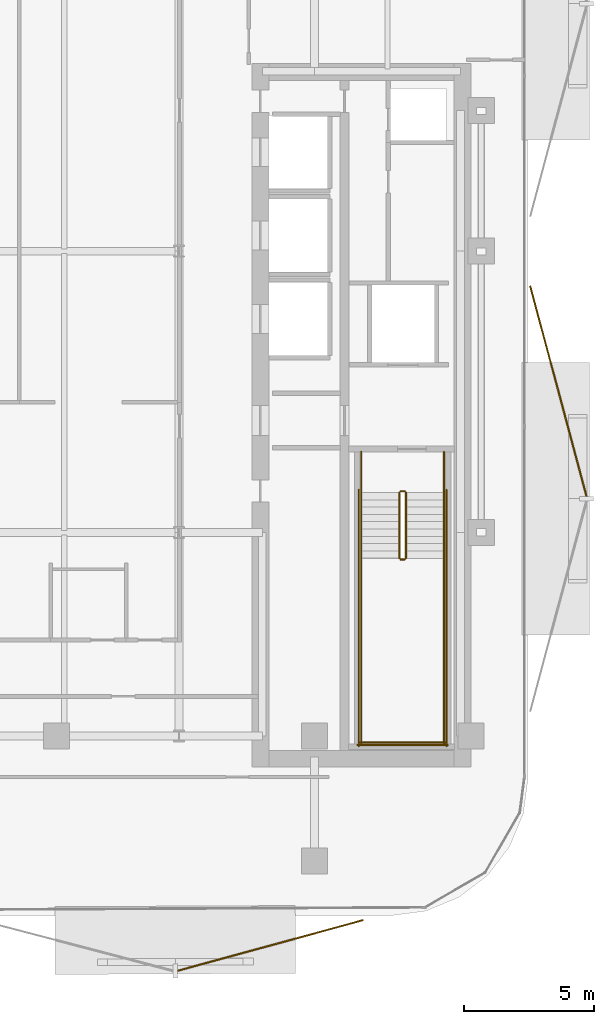
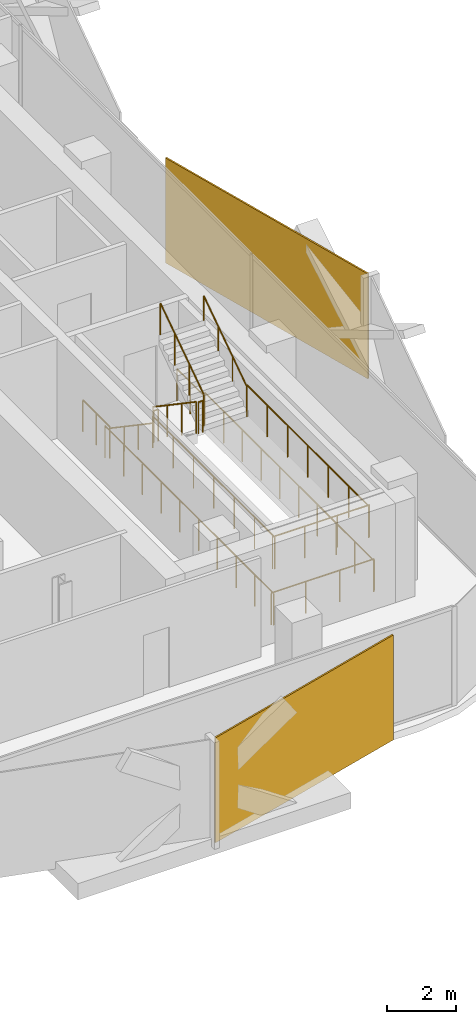
# One storey, part 14 of 16: 14 railings, 2 coverings.
"""IFC4 building model written with IfcOpenShell, lengths in metres."""

from ifc_helpers import new_model, si_unit, direction, frame, origin, origin_2d, place, context, subcontext, project, spatial, rectangle, circle, extrude, material, layer, layer_set, type_object, element, save


model = new_model("IFC4")

# Units and contexts
model_context = context("Model", 3, precision=1e-05, world=origin(), true_north=direction((0.0, 1.0)))
body_context = subcontext(model_context, "Body", "Model", "MODEL_VIEW")
ifc_project = project(units=[si_unit("LENGTHUNIT", "METRE"), si_unit("AREAUNIT", "SQUARE_METRE"), si_unit("VOLUMEUNIT", "CUBIC_METRE"), si_unit("PLANEANGLEUNIT", "RADIAN"), si_unit("MASSUNIT", "GRAM", prefix="KILO")], contexts=[model_context])

# Site, building, storey
site_placement = place(None, origin())
site = spatial("IfcSite", under=ifc_project, at=site_placement, CompositionType="ELEMENT")
building_placement = place(site_placement, origin())
building = spatial("IfcBuilding", under=site, at=building_placement, Name="Khairoan Windgate Tower", CompositionType="ELEMENT")
storey_placement = place(building_placement, frame((0.0, 0.0, 187.800048828125)))
storey = spatial("IfcBuildingStorey", under=building, at=storey_placement, Name="L43", CompositionType="ELEMENT", Elevation=187.800048828125)

# Coverings
ifc_material_1 = material(Name="Anodised Bronze Aluminium 6063-T6", Category="aluminium")
ifc_layer = layer(ifc_material_1, 0.054931640625, Name="Anodised Bronze Aluminium 6063-T6")
ifc_layer_set = layer_set([ifc_layer], Name="Anodised Bronze Aluminium 6063-T6")
covering_type = type_object("IfcCoveringType", Name="Perforated Bronze-Ceramic Folded Solar Screen Cladding BSC-1", PredefinedType="CLADDING", material=ifc_layer_set)
covering_1_placement = place(storey_placement, frame((12.712890625, -26.6376953125, -0.10009765625), z_axis=(0.0, 0.0, 1.0), x_axis=(-0.964649468762, -0.263536339841, 0.0)))
element("IfcCovering", 1, at=covering_1_placement, inside=storey, type_object=covering_type, Name="L43 Folded Bronze Solar Screen Facet 281L", PredefinedType="CLADDING", context=body_context, shape_type="SweptSolid", body=[
    extrude(rectangle(XDim=7.3759765625, YDim=0.054931640625, at=origin_2d()), origin(), (0.0, 0.0, 1.0), 3.739990234375),
])
covering_2_placement = place(storey_placement, frame((23.7587890625, -5.369873046875, -0.10009765625), z_axis=(0.0, 0.0, 1.0), x_axis=(0.258819045103, -0.965925826289, 0.0)))
element("IfcCovering", 2, at=covering_2_placement, inside=storey, type_object=covering_type, Name="L43 Folded Bronze Solar Screen Facet 288L", PredefinedType="CLADDING", context=body_context, shape_type="SweptSolid", body=[
    extrude(rectangle(XDim=8.35595703125, YDim=0.054931640625, at=origin_2d()), origin(), (0.0, 0.0, 1.0), 3.739990234375),
])

# Railings
ifc_material_2 = material(Name="Anodised Bronze Aluminium 6063-T6", Category="aluminium")
railing_type_1 = type_object("IfcRailingType", Name="Stair Wall Handrail SHR-900", PredefinedType="HANDRAIL", material=ifc_material_2)
railing_1_placement = place(storey_placement, frame((16.199951171875, -9.260009765625, 0.18994140625)))
element("IfcRailing", 3, at=railing_1_placement, inside=storey, type_object=railing_type_1, Name="L43 ST1 stair handrail 1", PredefinedType="HANDRAIL", context=body_context, shape_type="SweptSolid", body=[
    extrude(circle(Radius=0.02392578125, at=origin_2d()), frame((0.0, 0.0, 0.8759765625), z_axis=(0.0, -0.827483756001, 0.561489655786), x_axis=(1.0, 0.0, 0.0)), (0.0, 0.0, 1.0), 3.04541015625),
    extrude(circle(Radius=0.02099609375, at=origin_2d()), origin(), (0.0, 0.0, 1.0), 0.851806640625),
    extrude(circle(Radius=0.02099609375, at=origin_2d()), frame((0.0, -0.840087890625, 0.570068359375)), (0.0, 0.0, 1.0), 0.851806640625),
    extrude(circle(Radius=0.02099609375, at=origin_2d()), frame((0.0, -1.679931640625, 1.139892578125)), (0.0, 0.0, 1.0), 0.851806640625),
    extrude(circle(Radius=0.02099609375, at=origin_2d()), frame((0.0, -2.52001953125, 1.7099609375)), (0.0, 0.0, 1.0), 0.851806640625),
])
railing_2_placement = place(storey_placement, frame((19.3701171875, -11.780029296875, 2.08984375)))
element("IfcRailing", 4, at=railing_2_placement, inside=storey, type_object=railing_type_1, Name="L43 ST1 stair handrail 2", PredefinedType="HANDRAIL", context=body_context, shape_type="SweptSolid", body=[
    extrude(circle(Radius=0.02392578125, at=origin_2d()), frame((0.0, 0.0, 0.8759765625), z_axis=(0.0, 0.82744650838, 0.561544544778), x_axis=(-1.0, 0.0, 0.0)), (0.0, 0.0, 1.0), 3.045654296875),
    extrude(circle(Radius=0.02099609375, at=origin_2d()), origin(), (0.0, 0.0, 1.0), 0.851806640625),
    extrude(circle(Radius=0.02099609375, at=origin_2d()), frame((0.0, 0.840087890625, 0.570068359375)), (0.0, 0.0, 1.0), 0.851806640625),
    extrude(circle(Radius=0.02099609375, at=origin_2d()), frame((0.0, 1.679931640625, 1.14013671875)), (0.0, 0.0, 1.0), 0.851806640625),
    extrude(circle(Radius=0.02099609375, at=origin_2d()), frame((0.0, 2.52001953125, 1.710205078125)), (0.0, 0.0, 1.0), 0.851806640625),
])
ifc_material_3 = material(Name="Steel S355", Category="steel")
railing_type_2 = type_object("IfcRailingType", Name="Stairwell Safety Guardrail SGR-1150", PredefinedType="GUARDRAIL", material=ifc_material_3)
railing_3_placement = place(storey_placement, frame((17.659912109375, -9.260009765625, 0.18994140625)))
element("IfcRailing", 5, at=railing_3_placement, inside=storey, type_object=railing_type_2, Name="L43 ST1 stair guard 1", PredefinedType="GUARDRAIL", context=body_context, shape_type="SweptSolid", body=[
    extrude(circle(Radius=0.02392578125, at=origin_2d()), frame((0.0, 0.0, 1.1259765625), z_axis=(0.0, -0.827483756001, 0.561489655786), x_axis=(1.0, 0.0, 0.0)), (0.0, 0.0, 1.0), 3.04541015625),
    extrude(circle(Radius=0.02099609375, at=origin_2d()), origin(), (0.0, 0.0, 1.0), 1.101806640625),
    extrude(circle(Radius=0.02099609375, at=origin_2d()), frame((0.0, -0.840087890625, 0.570068359375)), (0.0, 0.0, 1.0), 1.101806640625),
    extrude(circle(Radius=0.02099609375, at=origin_2d()), frame((0.0, -1.679931640625, 1.139892578125)), (0.0, 0.0, 1.0), 1.101806640625),
    extrude(circle(Radius=0.02099609375, at=origin_2d()), frame((0.0, -2.52001953125, 1.7099609375)), (0.0, 0.0, 1.0), 1.101806640625),
])
railing_4_placement = place(storey_placement, frame((17.7099609375, -11.830078125, 1.89990234375)))
element("IfcRailing", 6, at=railing_4_placement, inside=storey, type_object=railing_type_2, Name="L43 ST1 stair guard 2", PredefinedType="GUARDRAIL", context=body_context, shape_type="SweptSolid", body=[
    extrude(circle(Radius=0.02392578125, at=origin_2d()), frame((0.0, 0.0, 1.1259765625), z_axis=(1.0, 0.0, 0.0), x_axis=(0.0, 1.0, 0.0)), (0.0, 0.0, 1.0), 0.150146484375),
    extrude(circle(Radius=0.02099609375, at=origin_2d()), origin(), (0.0, 0.0, 1.0), 1.101806640625),
    extrude(circle(Radius=0.02099609375, at=origin_2d()), frame((0.150146484375, 0.0, 0.0)), (0.0, 0.0, 1.0), 1.101806640625),
])
for number, where, name in (
    (7, (16.199951171875, -11.780029296875, 1.89990234375), "L43 ST1 stair guard 3"),
    (8, (19.3701171875, -11.780029296875, 1.89990234375), "L43 ST1 stair guard 4"),
):
    element("IfcRailing", number, at=place(storey_placement, frame(where)), inside=storey, type_object=railing_type_2, Name=name, PredefinedType="GUARDRAIL", context=body_context, shape_type="SweptSolid", body=[
        extrude(circle(Radius=0.02392578125, at=origin_2d()), frame((0.0, 0.0, 1.1259765625), z_axis=(0.0, -1.0, 0.0), x_axis=(1.0, 0.0, 0.0)), (0.0, 0.0, 1.0), 7.119873046875),
        extrude(circle(Radius=0.02099609375, at=origin_2d()), origin(), (0.0, 0.0, 1.0), 1.101806640625),
        extrude(circle(Radius=0.02099609375, at=origin_2d()), frame((0.0, -1.1865234375, 0.0)), (0.0, 0.0, 1.0), 1.101806640625),
        extrude(circle(Radius=0.02099609375, at=origin_2d()), frame((0.0, -2.373291015625, 0.0)), (0.0, 0.0, 1.0), 1.101806640625),
        extrude(circle(Radius=0.02099609375, at=origin_2d()), frame((0.0, -3.56005859375, 0.0)), (0.0, 0.0, 1.0), 1.101806640625),
        extrude(circle(Radius=0.02099609375, at=origin_2d()), frame((0.0, -4.74658203125, 0.0)), (0.0, 0.0, 1.0), 1.101806640625),
        extrude(circle(Radius=0.02099609375, at=origin_2d()), frame((0.0, -5.93310546875, 0.0)), (0.0, 0.0, 1.0), 1.101806640625),
        extrude(circle(Radius=0.02099609375, at=origin_2d()), frame((0.0, -7.119873046875, 0.0)), (0.0, 0.0, 1.0), 1.101806640625),
    ])
railing_5_placement = place(storey_placement, frame((16.14990234375, -18.85009765625, 1.89990234375)))
element("IfcRailing", 9, at=railing_5_placement, inside=storey, type_object=railing_type_2, Name="L43 ST1 stair guard 5", PredefinedType="GUARDRAIL", context=body_context, shape_type="SweptSolid", body=[
    extrude(circle(Radius=0.02392578125, at=origin_2d()), frame((0.0, 0.0, 1.1259765625), z_axis=(1.0, 0.0, 0.0), x_axis=(0.0, 1.0, 0.0)), (0.0, 0.0, 1.0), 3.27001953125),
    extrude(circle(Radius=0.02099609375, at=origin_2d()), origin(), (0.0, 0.0, 1.0), 1.101806640625),
    extrude(circle(Radius=0.02099609375, at=origin_2d()), frame((1.090087890625, 0.0, 0.0)), (0.0, 0.0, 1.0), 1.101806640625),
    extrude(circle(Radius=0.02099609375, at=origin_2d()), frame((2.179931640625, 0.0, 0.0)), (0.0, 0.0, 1.0), 1.101806640625),
    extrude(circle(Radius=0.02099609375, at=origin_2d()), frame((3.27001953125, 0.0, 0.0)), (0.0, 0.0, 1.0), 1.101806640625),
])
railing_6_placement = place(storey_placement, frame((17.909912109375, -11.780029296875, 2.08984375)))
element("IfcRailing", 10, at=railing_6_placement, inside=storey, type_object=railing_type_2, Name="L43 ST1 stair guard 6", PredefinedType="GUARDRAIL", context=body_context, shape_type="SweptSolid", body=[
    extrude(circle(Radius=0.02392578125, at=origin_2d()), frame((0.0, 0.0, 1.1259765625), z_axis=(0.0, 0.82744650838, 0.561544544778), x_axis=(-1.0, 0.0, 0.0)), (0.0, 0.0, 1.0), 3.045654296875),
    extrude(circle(Radius=0.02099609375, at=origin_2d()), origin(), (0.0, 0.0, 1.0), 1.101806640625),
    extrude(circle(Radius=0.02099609375, at=origin_2d()), frame((0.0, 0.840087890625, 0.570068359375)), (0.0, 0.0, 1.0), 1.101806640625),
    extrude(circle(Radius=0.02099609375, at=origin_2d()), frame((0.0, 1.679931640625, 1.14013671875)), (0.0, 0.0, 1.0), 1.101806640625),
    extrude(circle(Radius=0.02099609375, at=origin_2d()), frame((0.0, 2.52001953125, 1.710205078125)), (0.0, 0.0, 1.0), 1.101806640625),
])
railing_7_placement = place(storey_placement, frame((17.7099609375, -9.2099609375, 0.0)))
element("IfcRailing", 11, at=railing_7_placement, inside=storey, type_object=railing_type_2, Name="L43 ST1 stair guard 7", PredefinedType="GUARDRAIL", context=body_context, shape_type="SweptSolid", body=[
    extrude(circle(Radius=0.02392578125, at=origin_2d()), frame((0.0, 0.0, 1.1259765625), z_axis=(1.0, 0.0, 0.0), x_axis=(0.0, 1.0, 0.0)), (0.0, 0.0, 1.0), 0.150146484375),
    extrude(circle(Radius=0.02099609375, at=origin_2d()), origin(), (0.0, 0.0, 1.0), 1.101806640625),
    extrude(circle(Radius=0.02099609375, at=origin_2d()), frame((0.150146484375, 0.0, 0.0)), (0.0, 0.0, 1.0), 1.101806640625),
])
for number, where, name in (
    (12, (16.199951171875, -7.699951171875, 0.0), "L43 ST1 stair guard 8"),
    (13, (19.3701171875, -7.699951171875, 0.0), "L43 ST1 stair guard 9"),
):
    element("IfcRailing", number, at=place(storey_placement, frame(where)), inside=storey, type_object=railing_type_2, Name=name, PredefinedType="GUARDRAIL", context=body_context, shape_type="SweptSolid", body=[
        extrude(circle(Radius=0.02392578125, at=origin_2d()), frame((0.0, 0.0, 1.1259765625), z_axis=(0.0, -1.0, 0.0), x_axis=(1.0, 0.0, 0.0)), (0.0, 0.0, 1.0), 1.56005859375),
        extrude(circle(Radius=0.02099609375, at=origin_2d()), origin(), (0.0, 0.0, 1.0), 1.101806640625),
        extrude(circle(Radius=0.02099609375, at=origin_2d()), frame((0.0, -0.780029296875, 0.0)), (0.0, 0.0, 1.0), 1.101806640625),
        extrude(circle(Radius=0.02099609375, at=origin_2d()), frame((0.0, -1.56005859375, 0.0)), (0.0, 0.0, 1.0), 1.101806640625),
    ])
for number, where, name in (
    (14, (16.10009765625, -9.159912109375, 0.0), "L43 ST1 stair guard 10"),
    (15, (19.469970703125, -9.159912109375, 0.0), "L43 ST1 stair guard 11"),
):
    element("IfcRailing", number, at=place(storey_placement, frame(where)), inside=storey, type_object=railing_type_2, Name=name, PredefinedType="GUARDRAIL", context=body_context, shape_type="SweptSolid", body=[
        extrude(circle(Radius=0.02392578125, at=origin_2d()), frame((0.0, 0.0, 1.1259765625), z_axis=(0.0, -1.0, 0.0), x_axis=(1.0, 0.0, 0.0)), (0.0, 0.0, 1.0), 9.840087890625),
        extrude(circle(Radius=0.02099609375, at=origin_2d()), origin(), (0.0, 0.0, 1.0), 1.101806640625),
        extrude(circle(Radius=0.02099609375, at=origin_2d()), frame((0.0, -1.09326171875, 0.0)), (0.0, 0.0, 1.0), 1.101806640625),
        extrude(circle(Radius=0.02099609375, at=origin_2d()), frame((0.0, -2.186767578125, 0.0)), (0.0, 0.0, 1.0), 1.101806640625),
        extrude(circle(Radius=0.02099609375, at=origin_2d()), frame((0.0, -3.280029296875, 0.0)), (0.0, 0.0, 1.0), 1.101806640625),
        extrude(circle(Radius=0.02099609375, at=origin_2d()), frame((0.0, -4.373291015625, 0.0)), (0.0, 0.0, 1.0), 1.101806640625),
        extrude(circle(Radius=0.02099609375, at=origin_2d()), frame((0.0, -5.466796875, 0.0)), (0.0, 0.0, 1.0), 1.101806640625),
        extrude(circle(Radius=0.02099609375, at=origin_2d()), frame((0.0, -6.56005859375, 0.0)), (0.0, 0.0, 1.0), 1.101806640625),
        extrude(circle(Radius=0.02099609375, at=origin_2d()), frame((0.0, -7.6533203125, 0.0)), (0.0, 0.0, 1.0), 1.101806640625),
        extrude(circle(Radius=0.02099609375, at=origin_2d()), frame((0.0, -8.746826171875, 0.0)), (0.0, 0.0, 1.0), 1.101806640625),
        extrude(circle(Radius=0.02099609375, at=origin_2d()), frame((0.0, -9.840087890625, 0.0)), (0.0, 0.0, 1.0), 1.101806640625),
    ])
railing_8_placement = place(storey_placement, frame((16.050048828125, -18.949951171875, 0.0)))
element("IfcRailing", 16, at=railing_8_placement, inside=storey, type_object=railing_type_2, Name="L43 ST1 stair guard 12", PredefinedType="GUARDRAIL", context=body_context, shape_type="SweptSolid", body=[
    extrude(circle(Radius=0.02392578125, at=origin_2d()), frame((0.0, 0.0, 1.1259765625), z_axis=(1.0, 0.0, 0.0), x_axis=(0.0, 1.0, 0.0)), (0.0, 0.0, 1.0), 3.469970703125),
    extrude(circle(Radius=0.02099609375, at=origin_2d()), origin(), (0.0, 0.0, 1.0), 1.101806640625),
    extrude(circle(Radius=0.02099609375, at=origin_2d()), frame((1.15673828125, 0.0, 0.0)), (0.0, 0.0, 1.0), 1.101806640625),
    extrude(circle(Radius=0.02099609375, at=origin_2d()), frame((2.313232421875, 0.0, 0.0)), (0.0, 0.0, 1.0), 1.101806640625),
    extrude(circle(Radius=0.02099609375, at=origin_2d()), frame((3.469970703125, 0.0, 0.0)), (0.0, 0.0, 1.0), 1.101806640625),
])

save(model, "model.ifc")
